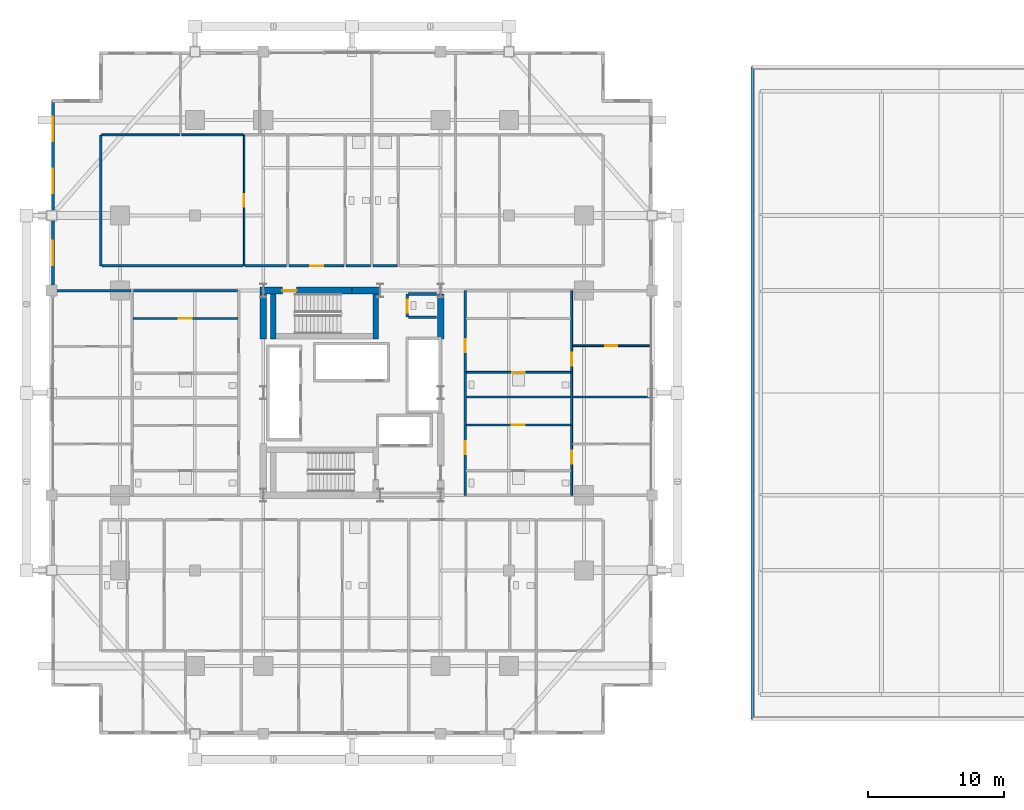
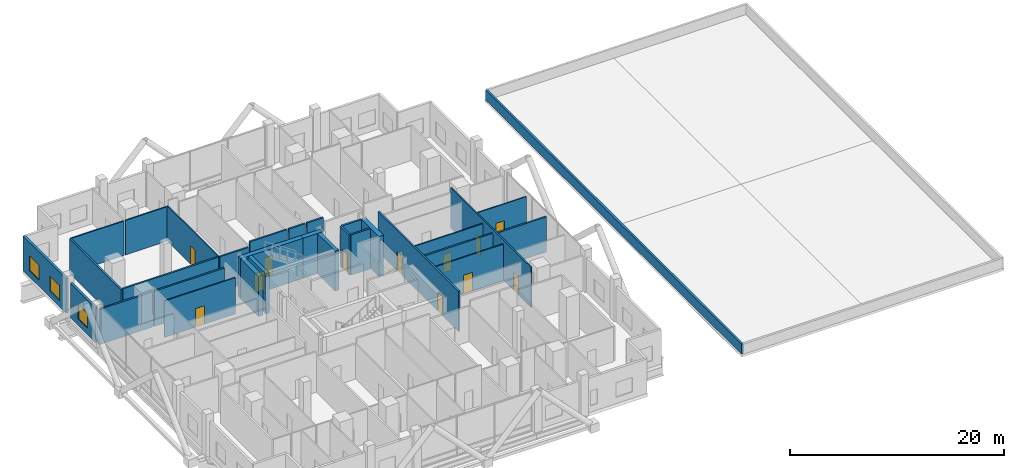
# One storey, part 26 of 33: 31 walls, 12 doors, 3 windows, 15 openings.
"""IFC4 building model written with IfcOpenShell, lengths in metres."""

from ifc_helpers import new_model, si_unit, direction, frame, frame_2d, origin, place, context, subcontext, project, spatial, rectangle, extrude, material, layer, layer_set, type_object, element, fill, save


model = new_model("IFC4")

# Units and contexts
model_context = context("Model", 3, precision=1e-05, world=origin(), true_north=direction((0.0, 1.0)))
body_context = subcontext(model_context, "Body", "Model", "MODEL_VIEW")
ifc_project = project(units=[si_unit("LENGTHUNIT", "METRE"), si_unit("AREAUNIT", "SQUARE_METRE"), si_unit("VOLUMEUNIT", "CUBIC_METRE"), si_unit("PLANEANGLEUNIT", "RADIAN"), si_unit("MASSUNIT", "GRAM", prefix="KILO")], contexts=[model_context])

# Site, building, storey
site_placement = place(None, origin())
site = spatial("IfcSite", under=ifc_project, at=site_placement, CompositionType="ELEMENT")
building_placement = place(site_placement, origin())
building = spatial("IfcBuilding", under=site, at=building_placement, Name="Barlavira Tower and Art Museum", CompositionType="ELEMENT")
storey_placement = place(building_placement, frame((0.0, 0.0, 27.60009765625)))
storey = spatial("IfcBuildingStorey", under=building, at=storey_placement, Name="L05", CompositionType="ELEMENT", Elevation=27.60009765625)

# Wall, opening, door
ifc_material_1 = material(Name="Gypsum acoustic stud partition", Category="gypsum")
ifc_layer_1 = layer(ifc_material_1, 0.1201171875, Name="Gypsum acoustic stud partition")
ifc_layer_set_1 = layer_set([ifc_layer_1], Name="Gypsum acoustic stud partition")
wall_type_1 = type_object("IfcWallType", Name="Apartment Internal Acoustic Partition 120", PredefinedType="PARTITIONING", material=ifc_layer_set_1)
wall_1_placement = place(storey_placement, frame((-7.89990234375, 9.300048828125, 0.0), z_axis=(0.0, 0.0, 1.0), x_axis=(0.0, 1.0, 0.0)))
wall_1 = element("IfcWall", 1, at=wall_1_placement, inside=storey, type_object=wall_type_1, Name="L05 Partition Wall 11", PredefinedType="PARTITIONING", context=body_context, shape_type="SweptSolid", body=[
    extrude(rectangle(XDim=9.599853515625, YDim=0.1201171875, at=frame_2d((4.7998046875, 0.0))), origin(), (0.0, 0.0, 1.0), 4.015869140625),
])
opening_1_placement = place(wall_1_placement, frame((4.35009765625, 0.0, 0.0)))
opening_1 = element("IfcOpeningElement", 2, at=opening_1_placement, cuts=wall_1, Name="Opening D-01", PredefinedType="OPENING", context=body_context, shape_type="SweptSolid", body=[
    extrude(rectangle(XDim=0.89990234375, YDim=2.10009765625, at=frame_2d((0.449951171875, 1.050048828125))), frame((0.0, 0.070068359375, 0.0), z_axis=(0.0, -1.0, 0.0), x_axis=(1.0, 0.0, 0.0)), (0.0, 0.0, 1.0), 0.14013671875),
])
ifc_material_2 = material(Name="Engineered coastal hardwood", Category="wood")
door_type_1 = type_object("IfcDoorType", Name="Internal Bedroom Timber Flush Door 900x2100", OperationType="NOTDEFINED", PredefinedType="DOOR", material=ifc_material_2)
door_1_placement = place(opening_1_placement, origin())
door_1 = element("IfcDoor", 3, at=door_1_placement, inside=storey, type_object=door_type_1, Name="Apartment N1 Walk-In Dressing Room Door", OperationType="SINGLE_SWING_RIGHT", OverallHeight=2.10009765625, OverallWidth=0.89990234375, PredefinedType="DOOR", context=body_context, shape_type="SweptSolid", body=[
    extrude(rectangle(XDim=0.89990234375, YDim=2.10009765625, at=frame_2d((0.449951171875, 1.050048828125))), frame((0.0, 0.02490234375, 0.0), z_axis=(0.0, -1.0, 0.0), x_axis=(1.0, 0.0, 0.0)), (0.0, 0.0, 1.0), 0.050048828125),
])
fill(opening_1, door_1)

wall_2_placement = place(storey_placement, frame((8.3798828125, -2.35009765625, 0.0), z_axis=(0.0, 0.0, 1.0), x_axis=(1.0, 0.0, 0.0)))
wall_2 = element("IfcWall", 4, at=wall_2_placement, inside=storey, type_object=wall_type_1, Name="L05 Partition Wall 67", PredefinedType="PARTITIONING", context=body_context, shape_type="SweptSolid", body=[
    extrude(rectangle(XDim=7.64013671875, YDim=0.1201171875, at=frame_2d((3.820068359375, 0.0))), origin(), (0.0, 0.0, 1.0), 4.14794921875),
])
opening_2_placement = place(wall_2_placement, frame((3.344970703125, 0.0, 0.0)))
opening_2 = element("IfcOpeningElement", 5, at=opening_2_placement, cuts=wall_2, Name="Opening D-02", PredefinedType="OPENING", context=body_context, shape_type="SweptSolid", body=[
    extrude(rectangle(XDim=0.949951171875, YDim=2.10009765625, at=frame_2d((0.47509765625, 1.050048828125))), frame((0.0, 0.070068359375, 0.0), z_axis=(0.0, -1.0, 0.0), x_axis=(1.0, 0.0, 0.0)), (0.0, 0.0, 1.0), 0.14013671875),
])
door_type_2 = type_object("IfcDoorType", Name="Living and Salon Glazed-Leaf Door 950x2100", OperationType="NOTDEFINED", PredefinedType="DOOR", material=ifc_material_2)
door_2_placement = place(opening_2_placement, origin())
door_2 = element("IfcDoor", 6, at=door_2_placement, inside=storey, type_object=door_type_2, Name="Apartment E1 Kitchen Door", OperationType="SINGLE_SWING_LEFT", OverallHeight=2.10009765625, OverallWidth=0.949951171875, PredefinedType="DOOR", context=body_context, shape_type="SweptSolid", body=[
    extrude(rectangle(XDim=0.949951171875, YDim=2.10009765625, at=frame_2d((0.47509765625, 1.050048828125))), frame((0.0, 0.02490234375, 0.0), z_axis=(0.0, -1.0, 0.0), x_axis=(1.0, 0.0, 0.0)), (0.0, 0.0, 1.0), 0.050048828125),
])
fill(opening_2, door_2)

wall_3_placement = place(storey_placement, frame((16.179931640625, 3.449951171875, 0.0), z_axis=(0.0, 0.0, 1.0), x_axis=(1.0, 0.0, 0.0)))
wall_3 = element("IfcWall", 7, at=wall_3_placement, inside=storey, type_object=wall_type_1, Name="L05 Partition Wall 75", PredefinedType="PARTITIONING", context=body_context, shape_type="SweptSolid", body=[
    extrude(rectangle(XDim=5.64013671875, YDim=0.1201171875, at=frame_2d((2.820068359375, 0.0))), origin(), (0.0, 0.0, 1.0), 4.015869140625),
])
opening_3_placement = place(wall_3_placement, frame((2.3701171875, 0.0, 0.0)))
opening_3 = element("IfcOpeningElement", 8, at=opening_3_placement, cuts=wall_3, Name="Opening D-01", PredefinedType="OPENING", context=body_context, shape_type="SweptSolid", body=[
    extrude(rectangle(XDim=0.89990234375, YDim=2.10009765625, at=frame_2d((0.449951171875, 1.050048828125))), frame((0.0, 0.070068359375, 0.0), z_axis=(0.0, -1.0, 0.0), x_axis=(1.0, 0.0, 0.0)), (0.0, 0.0, 1.0), 0.14013671875),
])
door_3_placement = place(opening_3_placement, origin())
door_3 = element("IfcDoor", 9, at=door_3_placement, inside=storey, type_object=door_type_1, Name="Apartment E2 Bedroom 1 Door", OperationType="SINGLE_SWING_RIGHT", OverallHeight=2.10009765625, OverallWidth=0.89990234375, PredefinedType="DOOR", context=body_context, shape_type="SweptSolid", body=[
    extrude(rectangle(XDim=0.89990234375, YDim=2.10009765625, at=frame_2d((0.449951171875, 1.050048828125))), frame((0.0, 0.02490234375, 0.0), z_axis=(0.0, -1.0, 0.0), x_axis=(1.0, 0.0, 0.0)), (0.0, 0.0, 1.0), 0.050048828125),
])
fill(opening_3, door_3)

wall_4_placement = place(storey_placement, frame((-16.02001953125, 5.449951171875, 0.0), z_axis=(0.0, 0.0, 1.0), x_axis=(1.0, 0.0, 0.0)))
wall_4 = element("IfcWall", 10, at=wall_4_placement, inside=storey, type_object=wall_type_1, Name="L05 Partition Wall 76", PredefinedType="PARTITIONING", context=body_context, shape_type="SweptSolid", body=[
    extrude(rectangle(XDim=7.64013671875, YDim=0.1201171875, at=frame_2d((3.820068359375, 0.0))), origin(), (0.0, 0.0, 1.0), 4.14794921875),
])
opening_4_placement = place(wall_4_placement, frame((3.344970703125, 0.0, 0.0)))
opening_4 = element("IfcOpeningElement", 11, at=opening_4_placement, cuts=wall_4, Name="Opening D-02", PredefinedType="OPENING", context=body_context, shape_type="SweptSolid", body=[
    extrude(rectangle(XDim=0.949951171875, YDim=2.10009765625, at=frame_2d((0.47509765625, 1.050048828125))), frame((0.0, 0.070068359375, 0.0), z_axis=(0.0, -1.0, 0.0), x_axis=(1.0, 0.0, 0.0)), (0.0, 0.0, 1.0), 0.14013671875),
])
door_4_placement = place(opening_4_placement, origin())
door_4 = element("IfcDoor", 12, at=door_4_placement, inside=storey, type_object=door_type_2, Name="Apartment W2 Kitchen Door", OperationType="SINGLE_SWING_RIGHT", OverallHeight=2.10009765625, OverallWidth=0.949951171875, PredefinedType="DOOR", context=body_context, shape_type="SweptSolid", body=[
    extrude(rectangle(XDim=0.949951171875, YDim=2.10009765625, at=frame_2d((0.47509765625, 1.050048828125))), frame((0.0, 0.02490234375, 0.0), z_axis=(0.0, -1.0, 0.0), x_axis=(1.0, 0.0, 0.0)), (0.0, 0.0, 1.0), 0.050048828125),
])
fill(opening_4, door_4)

ifc_material_3 = material(Name="Concrete C60", Category="concrete")
ifc_layer_2 = layer(ifc_material_3, 0.5, Name="Concrete C60")
ifc_layer_set_2 = layer_set([ifc_layer_2], Name="Concrete C60")
wall_type_2 = type_object("IfcWallType", Name="Core Structural Shear Wall 500 Concrete C60", PredefinedType="SHEAR", material=ifc_layer_set_2)
wall_5_placement = place(storey_placement, frame((-6.75, 7.5, 0.0), z_axis=(0.0, 0.0, 1.0), x_axis=(1.0, 0.0, 0.0)))
wall_5 = element("IfcWall", 13, at=wall_5_placement, inside=storey, type_object=wall_type_2, Name="L05 Core Shear Wall CS-NW", PredefinedType="SHEAR", context=body_context, shape_type="SweptSolid", body=[
    extrude(rectangle(XDim=6.75, YDim=0.5, at=frame_2d((3.375, 0.0))), origin(), (0.0, 0.0, 1.0), 4.579833984375),
])
opening_5_placement = place(wall_5_placement, frame((1.64990234375, 0.0, 0.0)))
opening_5 = element("IfcOpeningElement", 14, at=opening_5_placement, cuts=wall_5, Name="Opening FD-90", PredefinedType="OPENING", context=body_context, shape_type="SweptSolid", body=[
    extrude(rectangle(XDim=1.050048828125, YDim=2.14990234375, at=frame_2d((0.52490234375, 1.074951171875))), frame((0.0, 0.260009765625, 0.0), z_axis=(0.0, -1.0, 0.0), x_axis=(1.0, 0.0, 0.0)), (0.0, 0.0, 1.0), 0.52001953125),
])
ifc_material_4 = material(Name="Brushed stainless steel", Category="steel")
door_type_3 = type_object("IfcDoorType", Name="Stair and Refuge Fire Door 1050x2150 FD90S", OperationType="NOTDEFINED", PredefinedType="DOOR", material=ifc_material_4)
door_5_placement = place(opening_5_placement, origin())
door_5 = element("IfcDoor", 15, at=door_5_placement, inside=storey, type_object=door_type_3, Name="L05 Stair ST-T2 Fire Door", OperationType="SINGLE_SWING_LEFT", OverallHeight=2.14990234375, OverallWidth=1.050048828125, PredefinedType="DOOR", context=body_context, shape_type="SweptSolid", body=[
    extrude(rectangle(XDim=1.050048828125, YDim=2.14990234375, at=frame_2d((0.52490234375, 1.074951171875))), frame((0.0, 0.02490234375, 0.0), z_axis=(0.0, -1.0, 0.0), x_axis=(1.0, 0.0, 0.0)), (0.0, 0.0, 1.0), 0.050048828125),
])
fill(opening_5, door_5)

# Walls
wall_6_placement = place(storey_placement, frame((0.0, 7.5, 0.0), z_axis=(0.0, 0.0, 1.0), x_axis=(1.0, 0.0, 0.0)))
element("IfcWall", 16, at=wall_6_placement, inside=storey, type_object=wall_type_2, Name="L05 Core Shear Wall CS-EN", PredefinedType="SHEAR", context=body_context, shape_type="SweptSolid", body=[
    extrude(rectangle(XDim=2.080078125, YDim=0.5, at=frame_2d((1.0400390625, 0.0))), origin(), (0.0, 0.0, 1.0), 4.579833984375),
])
for number, where, z_axis, x_axis, name in (
    (17, (-6.5, 3.949951171875, 0.0), (0.0, 0.0, 1.0), (0.0, 1.0, 0.0), "L05 Core Shear Wall CS-W2"),
    (18, (6.5, 3.949951171875, 0.0), (0.0, 0.0, 1.0), (0.0, 1.0, 0.0), "L05 Core Shear Wall CS-E2"),
):
    element("IfcWall", number, at=place(storey_placement, frame(where, z_axis=z_axis, x_axis=x_axis)), inside=storey, type_object=wall_type_2, Name=name, PredefinedType="SHEAR", context=body_context, shape_type="SweptSolid", body=[
        extrude(rectangle(XDim=3.300048828125, YDim=0.5, at=frame_2d((1.64990234375, 0.0))), origin(), (0.0, 0.0, 1.0), 4.579833984375),
    ])

# Wall, opening, door
ifc_material_5 = material(Name="Autoclaved aerated concrete masonry", Category="masonry")
ifc_layer_3 = layer(ifc_material_5, 0.199951171875, Name="Autoclaved aerated concrete masonry")
ifc_layer_set_3 = layer_set([ifc_layer_3], Name="Autoclaved aerated concrete masonry")
wall_type_3 = type_object("IfcWallType", Name="Fire Compartment and Shaft Wall 200", PredefinedType="SOLIDWALL", material=ifc_layer_set_3)
wall_7_placement = place(storey_placement, frame((4.050048828125, 5.550048828125, 0.0), z_axis=(0.0, 0.0, 1.0), x_axis=(0.0, 1.0, 0.0)))
wall_7 = element("IfcWall", 19, at=wall_7_placement, inside=storey, type_object=wall_type_3, Name="L05 Partition Wall 20", PredefinedType="SOLIDWALL", context=body_context, shape_type="SweptSolid", body=[
    extrude(rectangle(XDim=1.699951171875, YDim=0.199951171875, at=frame_2d((0.85009765625, 0.0))), origin(), (0.0, 0.0, 1.0), 4.579833984375),
])
opening_6_placement = place(wall_7_placement, frame((0.324951171875, 0.0, 0.0)))
opening_6 = element("IfcOpeningElement", 20, at=opening_6_placement, cuts=wall_7, Name="Opening FD-60", PredefinedType="OPENING", context=body_context, shape_type="SweptSolid", body=[
    extrude(rectangle(XDim=0.949951171875, YDim=2.14990234375, at=frame_2d((0.47509765625, 1.074951171875))), frame((0.0, 0.10986328125, 0.0), z_axis=(0.0, -1.0, 0.0), x_axis=(1.0, 0.0, 0.0)), (0.0, 0.0, 1.0), 0.219970703125),
])
door_type_4 = type_object("IfcDoorType", Name="Apartment Entrance and Riser Fire Door 950x2150 FD60S", OperationType="NOTDEFINED", PredefinedType="DOOR", material=ifc_material_4)
door_6_placement = place(opening_6_placement, origin())
door_6 = element("IfcDoor", 21, at=door_6_placement, inside=storey, type_object=door_type_4, Name="Core Accessible Washroom Door", OperationType="SINGLE_SWING_RIGHT", OverallHeight=2.14990234375, OverallWidth=0.949951171875, PredefinedType="DOOR", context=body_context, shape_type="SweptSolid", body=[
    extrude(rectangle(XDim=0.949951171875, YDim=2.14990234375, at=frame_2d((0.47509765625, 1.074951171875))), frame((0.0, 0.02490234375, 0.0), z_axis=(0.0, -1.0, 0.0), x_axis=(1.0, 0.0, 0.0)), (0.0, 0.0, 1.0), 0.050048828125),
])
fill(opening_6, door_6)

# Walls
for number, where, z_axis, x_axis, name in (
    (22, (4.1298828125, 5.550048828125, 0.0), (0.0, 0.0, 1.0), (1.0, 0.0, 0.0), "L05 Partition Wall 78"),
    (23, (4.1298828125, 7.25, 0.0), (0.0, 0.0, 1.0), (1.0, 0.0, 0.0), "L05 Partition Wall 79"),
):
    element("IfcWall", number, at=place(storey_placement, frame(where, z_axis=z_axis, x_axis=x_axis)), inside=storey, type_object=wall_type_3, Name=name, PredefinedType="SOLIDWALL", context=body_context, shape_type="SweptSolid", body=[
        extrude(rectangle(XDim=2.070068359375, YDim=0.199951171875, at=frame_2d((1.03515625, 0.0))), origin(), (0.0, 0.0, 1.0), 4.579833984375),
    ])
ifc_layer_4 = layer(ifc_material_1, 0.179931640625, Name="Gypsum acoustic stud partition")
ifc_layer_set_4 = layer_set([ifc_layer_4], Name="Gypsum acoustic stud partition")
wall_type_4 = type_object("IfcWallType", Name="Inter-Tenancy Party Partition Wall 180", PredefinedType="PARTITIONING", material=ifc_layer_set_4)
wall_8_placement = place(storey_placement, frame((-18.39990234375, 9.300048828125, 0.0), z_axis=(0.0, 0.0, 1.0), x_axis=(0.0, 1.0, 0.0)))
element("IfcWall", 24, at=wall_8_placement, inside=storey, type_object=wall_type_4, Name="L05 Partition Wall 2", PredefinedType="PARTITIONING", context=body_context, shape_type="SweptSolid", body=[
    extrude(rectangle(XDim=9.599853515625, YDim=0.179931640625, at=frame_2d((4.7998046875, 0.0))), origin(), (0.0, 0.0, 1.0), 3.935791015625),
])

# Wall, openings, doors
wall_9_placement = place(storey_placement, frame((8.300048828125, -7.5, 0.0), z_axis=(0.0, 0.0, 1.0), x_axis=(0.0, 1.0, 0.0)))
wall_9 = element("IfcWall", 25, at=wall_9_placement, inside=storey, type_object=wall_type_4, Name="L05 Partition Wall 23", PredefinedType="PARTITIONING", context=body_context, shape_type="SweptSolid", body=[
    extrude(rectangle(XDim=15.0, YDim=0.179931640625, at=frame_2d((7.5, 0.0))), origin(), (0.0, 0.0, 1.0), 4.579833984375),
])
opening_7_placement = place(wall_9_placement, frame((2.9951171875, 0.0, 0.0)))
opening_7 = element("IfcOpeningElement", 26, at=opening_7_placement, cuts=wall_9, Name="Opening FD-60", PredefinedType="OPENING", context=body_context, shape_type="SweptSolid", body=[
    extrude(rectangle(XDim=0.949951171875, YDim=2.14990234375, at=frame_2d((0.47509765625, 1.074951171875))), frame((0.0, 0.10009765625, 0.0), z_axis=(0.0, -1.0, 0.0), x_axis=(1.0, 0.0, 0.0)), (0.0, 0.0, 1.0), 0.199951171875),
])
opening_8_placement = place(wall_9_placement, frame((10.4951171875, 0.0, 0.0)))
opening_8 = element("IfcOpeningElement", 27, at=opening_8_placement, cuts=wall_9, Name="Opening FD-60", PredefinedType="OPENING", context=body_context, shape_type="SweptSolid", body=[
    extrude(rectangle(XDim=0.949951171875, YDim=2.14990234375, at=frame_2d((0.47509765625, 1.074951171875))), frame((0.0, 0.10009765625, 0.0), z_axis=(0.0, -1.0, 0.0), x_axis=(1.0, 0.0, 0.0)), (0.0, 0.0, 1.0), 0.199951171875),
])
door_7_placement = place(opening_7_placement, origin())
door_7 = element("IfcDoor", 28, at=door_7_placement, inside=storey, type_object=door_type_4, Name="Apartment Entrance Hall E1 Door", OperationType="SINGLE_SWING_RIGHT", OverallHeight=2.14990234375, OverallWidth=0.949951171875, PredefinedType="DOOR", context=body_context, shape_type="SweptSolid", body=[
    extrude(rectangle(XDim=0.949951171875, YDim=2.14990234375, at=frame_2d((0.47509765625, 1.074951171875))), frame((0.0, 0.02490234375, 0.0), z_axis=(0.0, -1.0, 0.0), x_axis=(1.0, 0.0, 0.0)), (0.0, 0.0, 1.0), 0.050048828125),
])
fill(opening_7, door_7)
door_8_placement = place(opening_8_placement, origin())
door_8 = element("IfcDoor", 29, at=door_8_placement, inside=storey, type_object=door_type_4, Name="Apartment Entrance Hall E2 Door", OperationType="SINGLE_SWING_LEFT", OverallHeight=2.14990234375, OverallWidth=0.949951171875, PredefinedType="DOOR", context=body_context, shape_type="SweptSolid", body=[
    extrude(rectangle(XDim=0.949951171875, YDim=2.14990234375, at=frame_2d((0.47509765625, 1.074951171875))), frame((0.0, 0.02490234375, 0.0), z_axis=(0.0, -1.0, 0.0), x_axis=(1.0, 0.0, 0.0)), (0.0, 0.0, 1.0), 0.050048828125),
])
fill(opening_8, door_8)

# Walls
wall_10_placement = place(storey_placement, frame((8.3798828125, -0.300048828125, 0.0), z_axis=(0.0, 0.0, 1.0), x_axis=(1.0, 0.0, 0.0)))
element("IfcWall", 30, at=wall_10_placement, inside=storey, type_object=wall_type_4, Name="L05 Partition Wall 70", PredefinedType="PARTITIONING", context=body_context, shape_type="SweptSolid", body=[
    extrude(rectangle(XDim=7.64013671875, YDim=0.179931640625, at=frame_2d((3.820068359375, 0.0))), origin(), (0.0, 0.0, 1.0), 4.14794921875),
])
wall_11_placement = place(storey_placement, frame((16.179931640625, -0.300048828125, 0.0), z_axis=(0.0, 0.0, 1.0), x_axis=(1.0, 0.0, 0.0)))
element("IfcWall", 31, at=wall_11_placement, inside=storey, type_object=wall_type_4, Name="L05 Partition Wall 71", PredefinedType="PARTITIONING", context=body_context, shape_type="SweptSolid", body=[
    extrude(rectangle(XDim=5.64013671875, YDim=0.179931640625, at=frame_2d((2.820068359375, 0.0))), origin(), (0.0, 0.0, 1.0), 4.015869140625),
])
wall_12_placement = place(storey_placement, frame((-21.89990234375, 7.5, 0.0), z_axis=(0.0, 0.0, 1.0), x_axis=(1.0, 0.0, 0.0)))
element("IfcWall", 32, at=wall_12_placement, inside=storey, type_object=wall_type_4, Name="L05 Partition Wall 80", PredefinedType="PARTITIONING", context=body_context, shape_type="SweptSolid", body=[
    extrude(rectangle(XDim=5.719970703125, YDim=0.179931640625, at=frame_2d((2.85986328125, 0.0))), origin(), (0.0, 0.0, 1.0), 4.015869140625),
])
wall_13_placement = place(storey_placement, frame((-16.02001953125, 7.5, 0.0), z_axis=(0.0, 0.0, 1.0), x_axis=(1.0, 0.0, 0.0)))
element("IfcWall", 33, at=wall_13_placement, inside=storey, type_object=wall_type_4, Name="L05 Partition Wall 81", PredefinedType="PARTITIONING", context=body_context, shape_type="SweptSolid", body=[
    extrude(rectangle(XDim=7.64013671875, YDim=0.179931640625, at=frame_2d((3.820068359375, 0.0))), origin(), (0.0, 0.0, 1.0), 4.015869140625),
])
wall_14_placement = place(storey_placement, frame((-18.320068359375, 9.300048828125, 0.0), z_axis=(0.0, 0.0, 1.0), x_axis=(1.0, 0.0, 0.0)))
element("IfcWall", 34, at=wall_14_placement, inside=storey, type_object=wall_type_4, Name="L05 Partition Wall 84", PredefinedType="PARTITIONING", context=body_context, shape_type="SweptSolid", body=[
    extrude(rectangle(XDim=10.340087890625, YDim=0.179931640625, at=frame_2d((5.169921875, 0.0))), origin(), (0.0, 0.0, 1.0), 4.015869140625),
])
wall_15_placement = place(storey_placement, frame((-7.820068359375, 9.300048828125, 0.0), z_axis=(0.0, 0.0, 1.0), x_axis=(1.0, 0.0, 0.0)))
element("IfcWall", 35, at=wall_15_placement, inside=storey, type_object=wall_type_4, Name="L05 Partition Wall 85", PredefinedType="PARTITIONING", context=body_context, shape_type="SweptSolid", body=[
    extrude(rectangle(XDim=3.0400390625, YDim=0.179931640625, at=frame_2d((1.52001953125, 0.0))), origin(), (0.0, 0.0, 1.0), 4.015869140625),
])

# Wall, opening, door
wall_16_placement = place(storey_placement, frame((-4.6201171875, 9.300048828125, 0.0), z_axis=(0.0, 0.0, 1.0), x_axis=(1.0, 0.0, 0.0)))
wall_16 = element("IfcWall", 36, at=wall_16_placement, inside=storey, type_object=wall_type_4, Name="L05 Partition Wall 86", PredefinedType="PARTITIONING", context=body_context, shape_type="SweptSolid", body=[
    extrude(rectangle(XDim=4.0400390625, YDim=0.179931640625, at=frame_2d((2.02001953125, 0.0))), origin(), (0.0, 0.0, 1.0), 4.579833984375),
])
opening_9_placement = place(wall_16_placement, frame((1.56494140625, 0.0, 0.0)))
opening_9 = element("IfcOpeningElement", 37, at=opening_9_placement, cuts=wall_16, Name="Opening FD-60", PredefinedType="OPENING", context=body_context, shape_type="SweptSolid", body=[
    extrude(rectangle(XDim=0.949951171875, YDim=2.14990234375, at=frame_2d((0.47509765625, 1.074951171875))), frame((0.0, 0.10009765625, 0.0), z_axis=(0.0, -1.0, 0.0), x_axis=(1.0, 0.0, 0.0)), (0.0, 0.0, 1.0), 0.199951171875),
])
door_9_placement = place(opening_9_placement, origin())
door_9 = element("IfcDoor", 38, at=door_9_placement, inside=storey, type_object=door_type_4, Name="Apartment Entrance Hall N1 Door", OperationType="SINGLE_SWING_RIGHT", OverallHeight=2.14990234375, OverallWidth=0.949951171875, PredefinedType="DOOR", context=body_context, shape_type="SweptSolid", body=[
    extrude(rectangle(XDim=0.949951171875, YDim=2.14990234375, at=frame_2d((0.47509765625, 1.074951171875))), frame((0.0, 0.02490234375, 0.0), z_axis=(0.0, -1.0, 0.0), x_axis=(1.0, 0.0, 0.0)), (0.0, 0.0, 1.0), 0.050048828125),
])
fill(opening_9, door_9)

# Walls
for number, where, z_axis, x_axis, name in (
    (39, (-0.419921875, 9.300048828125, 0.0), (0.0, 0.0, 1.0), (1.0, 0.0, 0.0), "L05 Partition Wall 87"),
    (40, (1.530029296875, 9.300048828125, 0.0), (0.0, 0.0, 1.0), (1.0, 0.0, 0.0), "L05 Partition Wall 88"),
):
    element("IfcWall", number, at=place(storey_placement, frame(where, z_axis=z_axis, x_axis=x_axis)), inside=storey, type_object=wall_type_4, Name=name, PredefinedType="PARTITIONING", context=body_context, shape_type="SweptSolid", body=[
        extrude(rectangle(XDim=1.7900390625, YDim=0.179931640625, at=frame_2d((0.89501953125, 0.0))), origin(), (0.0, 0.0, 1.0), 4.579833984375),
    ])

# Wall, openings, doors
ifc_layer_5 = layer(ifc_material_1, 0.139892578125, Name="Gypsum acoustic stud partition")
ifc_layer_set_5 = layer_set([ifc_layer_5], Name="Gypsum acoustic stud partition")
wall_type_5 = type_object("IfcWallType", Name="Moisture-Resistant Bathroom Partition 140", PredefinedType="PARTITIONING", material=ifc_layer_set_5)
wall_17_placement = place(storey_placement, frame((16.10009765625, -7.5, 0.0), z_axis=(0.0, 0.0, 1.0), x_axis=(0.0, 1.0, 0.0)))
wall_17 = element("IfcWall", 41, at=wall_17_placement, inside=storey, type_object=wall_type_5, Name="L05 Partition Wall 30", PredefinedType="PARTITIONING", context=body_context, shape_type="SweptSolid", body=[
    extrude(rectangle(XDim=15.0, YDim=0.139892578125, at=frame_2d((7.5, 0.0))), origin(), (0.0, 0.0, 1.0), 4.579833984375),
])
opening_10_placement = place(wall_17_placement, frame((2.304931640625, 0.0, 0.0)))
opening_10 = element("IfcOpeningElement", 42, at=opening_10_placement, cuts=wall_17, Name="Opening D-02", PredefinedType="OPENING", context=body_context, shape_type="SweptSolid", body=[
    extrude(rectangle(XDim=0.949951171875, YDim=2.10009765625, at=frame_2d((0.47509765625, 1.050048828125))), frame((0.0, 0.080078125, 0.0), z_axis=(0.0, -1.0, 0.0), x_axis=(1.0, 0.0, 0.0)), (0.0, 0.0, 1.0), 0.159912109375),
])
opening_11_placement = place(wall_17_placement, frame((9.485107421875, 0.0, 0.0)))
opening_11 = element("IfcOpeningElement", 43, at=opening_11_placement, cuts=wall_17, Name="Opening D-02", PredefinedType="OPENING", context=body_context, shape_type="SweptSolid", body=[
    extrude(rectangle(XDim=0.949951171875, YDim=2.10009765625, at=frame_2d((0.47509765625, 1.050048828125))), frame((0.0, 0.080078125, 0.0), z_axis=(0.0, -1.0, 0.0), x_axis=(1.0, 0.0, 0.0)), (0.0, 0.0, 1.0), 0.159912109375),
])
door_10_placement = place(opening_10_placement, origin())
door_10 = element("IfcDoor", 44, at=door_10_placement, inside=storey, type_object=door_type_2, Name="Apartment E1 Living Lounge Door", OperationType="SINGLE_SWING_RIGHT", OverallHeight=2.10009765625, OverallWidth=0.949951171875, PredefinedType="DOOR", context=body_context, shape_type="SweptSolid", body=[
    extrude(rectangle(XDim=0.949951171875, YDim=2.10009765625, at=frame_2d((0.47509765625, 1.050048828125))), frame((0.0, 0.02490234375, 0.0), z_axis=(0.0, -1.0, 0.0), x_axis=(1.0, 0.0, 0.0)), (0.0, 0.0, 1.0), 0.050048828125),
])
fill(opening_10, door_10)
door_11_placement = place(opening_11_placement, origin())
door_11 = element("IfcDoor", 45, at=door_11_placement, inside=storey, type_object=door_type_2, Name="Apartment E2 Living Lounge Door", OperationType="SINGLE_SWING_LEFT", OverallHeight=2.10009765625, OverallWidth=0.949951171875, PredefinedType="DOOR", context=body_context, shape_type="SweptSolid", body=[
    extrude(rectangle(XDim=0.949951171875, YDim=2.10009765625, at=frame_2d((0.47509765625, 1.050048828125))), frame((0.0, 0.02490234375, 0.0), z_axis=(0.0, -1.0, 0.0), x_axis=(1.0, 0.0, 0.0)), (0.0, 0.0, 1.0), 0.050048828125),
])
fill(opening_11, door_11)

# Wall, opening, door
wall_18_placement = place(storey_placement, frame((8.3798828125, 1.5, 0.0), z_axis=(0.0, 0.0, 1.0), x_axis=(1.0, 0.0, 0.0)))
wall_18 = element("IfcWall", 46, at=wall_18_placement, inside=storey, type_object=wall_type_5, Name="L05 Partition Wall 73", PredefinedType="PARTITIONING", context=body_context, shape_type="SweptSolid", body=[
    extrude(rectangle(XDim=7.64013671875, YDim=0.139892578125, at=frame_2d((3.820068359375, 0.0))), origin(), (0.0, 0.0, 1.0), 4.14794921875),
])
opening_12_placement = place(wall_18_placement, frame((3.3701171875, 0.0, 0.0)))
opening_12 = element("IfcOpeningElement", 47, at=opening_12_placement, cuts=wall_18, Name="Opening D-WC", PredefinedType="OPENING", context=body_context, shape_type="SweptSolid", body=[
    extrude(rectangle(XDim=0.89990234375, YDim=2.10009765625, at=frame_2d((0.449951171875, 1.050048828125))), frame((0.0, 0.080078125, 0.0), z_axis=(0.0, -1.0, 0.0), x_axis=(1.0, 0.0, 0.0)), (0.0, 0.0, 1.0), 0.159912109375),
])
door_type_5 = type_object("IfcDoorType", Name="Accessible Bathroom Flush Door 900x2100", OperationType="NOTDEFINED", PredefinedType="DOOR", material=ifc_material_2)
door_12_placement = place(opening_12_placement, origin())
door_12 = element("IfcDoor", 48, at=door_12_placement, inside=storey, type_object=door_type_5, Name="Apartment E2 Hall Bathroom Door", OperationType="SINGLE_SWING_RIGHT", OverallHeight=2.10009765625, OverallWidth=0.89990234375, PredefinedType="DOOR", context=body_context, shape_type="SweptSolid", body=[
    extrude(rectangle(XDim=0.89990234375, YDim=2.10009765625, at=frame_2d((0.449951171875, 1.050048828125))), frame((0.0, 0.02490234375, 0.0), z_axis=(0.0, -1.0, 0.0), x_axis=(1.0, 0.0, 0.0)), (0.0, 0.0, 1.0), 0.050048828125),
])
fill(opening_12, door_12)

# Walls
wall_19_placement = place(storey_placement, frame((-18.320068359375, 18.89990234375, 0.0), z_axis=(0.0, 0.0, 1.0), x_axis=(1.0, 0.0, 0.0)))
element("IfcWall", 49, at=wall_19_placement, inside=storey, type_object=wall_type_5, Name="L05 Partition Wall 92", PredefinedType="PARTITIONING", context=body_context, shape_type="SweptSolid", body=[
    extrude(rectangle(XDim=5.690185546875, YDim=0.139892578125, at=frame_2d((2.84521484375, 0.0))), origin(), (0.0, 0.0, 1.0), 3.935791015625),
])
wall_20_placement = place(storey_placement, frame((-12.469970703125, 18.89990234375, 0.0), z_axis=(0.0, 0.0, 1.0), x_axis=(1.0, 0.0, 0.0)))
element("IfcWall", 50, at=wall_20_placement, inside=storey, type_object=wall_type_5, Name="L05 Partition Wall 93", PredefinedType="PARTITIONING", context=body_context, shape_type="SweptSolid", body=[
    extrude(rectangle(XDim=4.489990234375, YDim=0.139892578125, at=frame_2d((2.2451171875, 0.0))), origin(), (0.0, 0.0, 1.0), 3.935791015625),
])

# Wall, openings, windows
ifc_material_6 = material(Name="Precast concrete C40", Category="concrete")
ifc_layer_6 = layer(ifc_material_6, 0.25, Name="Precast concrete C40")
ifc_layer_set_6 = layer_set([ifc_layer_6], Name="Precast concrete C40")
wall_type_6 = type_object("IfcWallType", Name="Notched Corner Spandrel Wall 250 Precast Concrete C40", PredefinedType="SOLIDWALL", material=ifc_layer_set_6)
wall_21_placement = place(storey_placement, frame((-21.89990234375, 21.425048828125, 0.0), z_axis=(0.0, 0.0, 1.0), x_axis=(0.0, -1.0, 0.0)))
wall_21 = element("IfcWall", 51, at=wall_21_placement, inside=storey, type_object=wall_type_6, Name="L05 Coastal Facade Pier Wall CW1-L05-W-1", PredefinedType="SOLIDWALL", context=body_context, shape_type="SweptSolid", body=[
    extrude(rectangle(XDim=8.030029296875, YDim=0.25, at=frame_2d((4.01513671875, 0.0))), origin(), (0.0, 0.0, 1.0), 3.935791015625),
])
opening_13_placement = place(wall_21_placement, frame((1.176025390625, 0.0, 0.719970703125)))
opening_13 = element("IfcOpeningElement", 52, at=opening_13_placement, cuts=wall_21, Name="Opening WN-01", PredefinedType="OPENING", context=body_context, shape_type="SweptSolid", body=[
    extrude(rectangle(XDim=1.800048828125, YDim=1.679931640625, at=frame_2d((0.89990234375, 0.83984375))), frame((0.0, 0.135009765625, 0.0), z_axis=(0.0, -1.0, 0.0), x_axis=(1.0, 0.0, 0.0)), (0.0, 0.0, 1.0), 0.27001953125),
])
opening_14_placement = place(wall_21_placement, frame((5.009033203125, 0.0, 0.719970703125)))
opening_14 = element("IfcOpeningElement", 53, at=opening_14_placement, cuts=wall_21, Name="Opening WN-01", PredefinedType="OPENING", context=body_context, shape_type="SweptSolid", body=[
    extrude(rectangle(XDim=1.800048828125, YDim=1.679931640625, at=frame_2d((0.89990234375, 0.83984375))), frame((0.0, 0.135009765625, 0.0), z_axis=(0.0, -1.0, 0.0), x_axis=(1.0, 0.0, 0.0)), (0.0, 0.0, 1.0), 0.27001953125),
])
ifc_material_7 = material(Name="Low-iron coastal laminated glass", Category="glass")
window_type = type_object("IfcWindowType", Name="Recessed Notch Corner Punch Window 1800x1680", PartitioningType="SINGLE_PANEL", PredefinedType="WINDOW", material=ifc_material_7)
window_1_placement = place(opening_13_placement, origin())
window_1 = element("IfcWindow", 54, at=window_1_placement, inside=storey, type_object=window_type, Name="L05 Punched Facade Window EWP-CW1-L05-W-1-1", OverallHeight=1.679931640625, OverallWidth=1.800048828125, PartitioningType="SINGLE_PANEL", PredefinedType="WINDOW", context=body_context, shape_type="SweptSolid", body=[
    extrude(rectangle(XDim=1.800048828125, YDim=1.679931640625, at=frame_2d((0.89990234375, 0.83984375))), frame((0.0, 0.030029296875, 0.0), z_axis=(0.0, -1.0, 0.0), x_axis=(1.0, 0.0, 0.0)), (0.0, 0.0, 1.0), 0.06005859375),
])
fill(opening_13, window_1)
window_2_placement = place(opening_14_placement, origin())
window_2 = element("IfcWindow", 55, at=window_2_placement, inside=storey, type_object=window_type, Name="L05 Punched Facade Window EWP-CW1-L05-W-1-2", OverallHeight=1.679931640625, OverallWidth=1.800048828125, PartitioningType="SINGLE_PANEL", PredefinedType="WINDOW", context=body_context, shape_type="SweptSolid", body=[
    extrude(rectangle(XDim=1.800048828125, YDim=1.679931640625, at=frame_2d((0.89990234375, 0.83984375))), frame((0.0, 0.030029296875, 0.0), z_axis=(0.0, -1.0, 0.0), x_axis=(1.0, 0.0, 0.0)), (0.0, 0.0, 1.0), 0.06005859375),
])
fill(opening_14, window_2)

# Wall, opening, window
wall_22_placement = place(storey_placement, frame((-21.89990234375, 12.60498046875, 0.0), z_axis=(0.0, 0.0, 1.0), x_axis=(0.0, -1.0, 0.0)))
wall_22 = element("IfcWall", 56, at=wall_22_placement, inside=storey, type_object=wall_type_6, Name="L05 Coastal Facade Pier Wall CW1-L05-W-2", PredefinedType="SOLIDWALL", context=body_context, shape_type="SweptSolid", body=[
    extrude(rectangle(XDim=4.7099609375, YDim=0.25, at=frame_2d((2.35498046875, 0.0))), origin(), (0.0, 0.0, 1.0), 3.935791015625),
])
opening_15_placement = place(wall_22_placement, frame((1.455078125, 0.0, 0.719970703125)))
opening_15 = element("IfcOpeningElement", 57, at=opening_15_placement, cuts=wall_22, Name="Opening WN-01", PredefinedType="OPENING", context=body_context, shape_type="SweptSolid", body=[
    extrude(rectangle(XDim=1.800048828125, YDim=1.679931640625, at=frame_2d((0.89990234375, 0.83984375))), frame((0.0, 0.135009765625, 0.0), z_axis=(0.0, -1.0, 0.0), x_axis=(1.0, 0.0, 0.0)), (0.0, 0.0, 1.0), 0.27001953125),
])
window_3_placement = place(opening_15_placement, origin())
window_3 = element("IfcWindow", 58, at=window_3_placement, inside=storey, type_object=window_type, Name="L05 Punched Facade Window EWP-CW1-L05-W-2-1", OverallHeight=1.679931640625, OverallWidth=1.800048828125, PartitioningType="SINGLE_PANEL", PredefinedType="WINDOW", context=body_context, shape_type="SweptSolid", body=[
    extrude(rectangle(XDim=1.800048828125, YDim=1.679931640625, at=frame_2d((0.89990234375, 0.83984375))), frame((0.0, 0.030029296875, 0.0), z_axis=(0.0, -1.0, 0.0), x_axis=(1.0, 0.0, 0.0)), (0.0, 0.0, 1.0), 0.06005859375),
])
fill(opening_15, window_3)

# Walls
ifc_layer_7 = layer(ifc_material_6, 0.219970703125, Name="Precast concrete C40")
ifc_layer_set_7 = layer_set([ifc_layer_7], Name="Precast concrete C40")
wall_type_7 = type_object("IfcWallType", Name="Terrace and Roof Parapet Wall 220 Concrete C40", PredefinedType="PARAPET", material=ifc_layer_set_7)
wall_23_placement = place(storey_placement, frame((29.360107421875, 23.889892578125, 0.0), z_axis=(0.0, 0.0, 1.0), x_axis=(0.0, -1.0, 0.0)))
element("IfcWall", 59, at=wall_23_placement, inside=storey, type_object=wall_type_7, Name="Museum Roof Parapet Wall W", PredefinedType="PARAPET", context=body_context, shape_type="SweptSolid", body=[
    extrude(rectangle(XDim=47.77978515625, YDim=0.219970703125, at=frame_2d((23.889892578125, 0.0))), origin(), (0.0, 0.0, 1.0), 1.14990234375),
])
ifc_material_8 = material(Name="Concrete C55", Category="concrete")
ifc_layer_8 = layer(ifc_material_8, 0.39990234375, Name="Concrete C55")
ifc_layer_set_8 = layer_set([ifc_layer_8], Name="Concrete C55")
wall_type_8 = type_object("IfcWallType", Name="Upper Core Shear Wall 400 Concrete C55", PredefinedType="SHEAR", material=ifc_layer_set_8)
for number, where, z_axis, x_axis, name in (
    (60, (1.72998046875, 3.949951171875, 0.0), (0.0, 0.0, 1.0), (0.0, 1.0, 0.0), "L05 ST-T2 East Half-Landing Wall"),
    (61, (-5.75, 3.949951171875, 0.0), (0.0, 0.0, 1.0), (0.0, 1.0, 0.0), "L05 ST-T2 West Shaft Wall"),
):
    element("IfcWall", number, at=place(storey_placement, frame(where, z_axis=z_axis, x_axis=x_axis)), inside=storey, type_object=wall_type_8, Name=name, PredefinedType="SHEAR", context=body_context, shape_type="SweptSolid", body=[
        extrude(rectangle(XDim=3.300048828125, YDim=0.39990234375, at=frame_2d((1.64990234375, 0.0))), origin(), (0.0, 0.0, 1.0), 4.579833984375),
    ])

save(model, "model.ifc")
